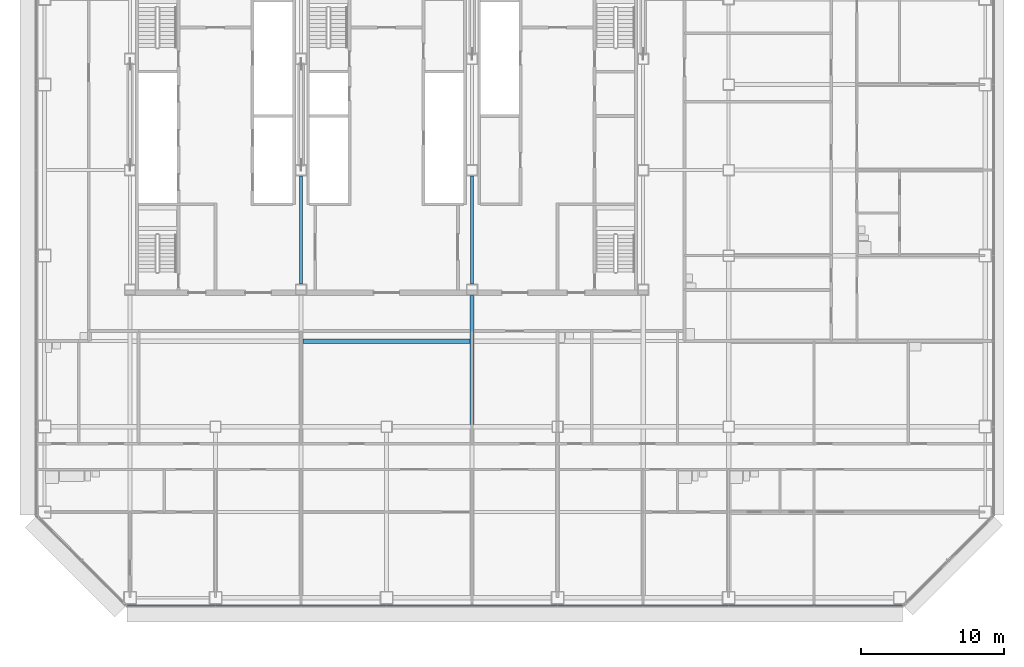
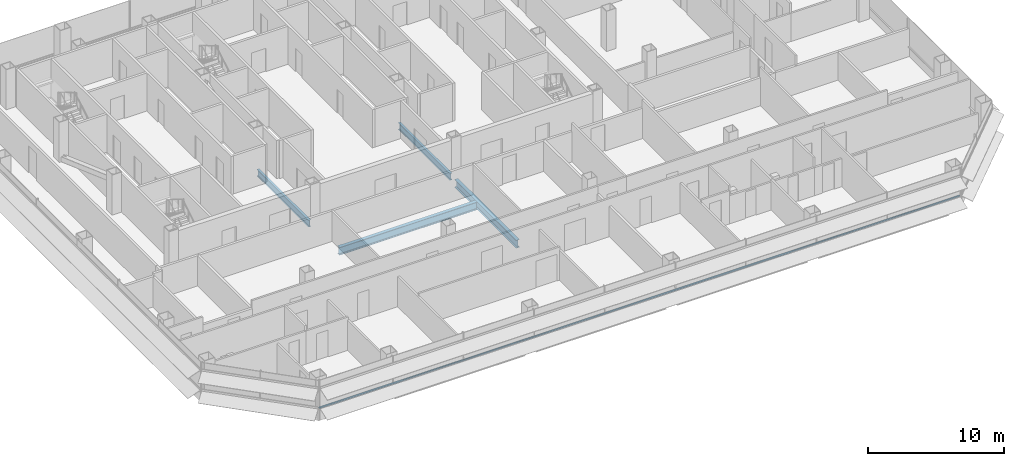
# One storey, part 7 of 27: 4 beams, 1 member, 1 element without a shape of its own.
"""IFC4 building model written with IfcOpenShell, lengths in metres."""

from ifc_helpers import new_model, si_unit, direction, frame, origin, origin_2d, place, context, subcontext, project, spatial, rectangle, i_section, extrude, material, material_profile, profile_set, type_object, element, aggregate, save


model = new_model("IFC4")

# Units and contexts
model_context = context("Model", 3, precision=1e-05, world=origin(), true_north=direction((0.0, 1.0)))
body_context = subcontext(model_context, "Body", "Model", "MODEL_VIEW")
ifc_project = project(units=[si_unit("LENGTHUNIT", "METRE"), si_unit("AREAUNIT", "SQUARE_METRE"), si_unit("VOLUMEUNIT", "CUBIC_METRE"), si_unit("PLANEANGLEUNIT", "RADIAN"), si_unit("MASSUNIT", "GRAM", prefix="KILO")], contexts=[model_context])

# Site, building, storey
site_placement = place(None, origin())
site = spatial("IfcSite", under=ifc_project, at=site_placement, CompositionType="ELEMENT")
building_placement = place(site_placement, origin())
building = spatial("IfcBuilding", under=site, at=building_placement, Name="Sorahane Residences", CompositionType="ELEMENT")
storey_placement = place(building_placement, frame((0.0, 0.0, 53.39990234375)))
storey = spatial("IfcBuildingStorey", under=building, at=storey_placement, Name="L09", CompositionType="ELEMENT", Elevation=53.39990234375)

# Curtain wall, member
ifc_material_1 = material(Name="Dark low-e glass and black anodised aluminium", Category="aluminium")
curtain_wall_type = type_object("IfcCurtainWallType", Name="Curtain wall CW-1 Typical unitised wall", PredefinedType="NOTDEFINED", material=ifc_material_1)
curtain_wall_placement = place(storey_placement, origin())
curtain_wall = element("IfcCurtainWall", 1, at=curtain_wall_placement, inside=storey, type_object=curtain_wall_type, Name="CW-1 curtain wall L09 S1", PredefinedType="NOTDEFINED")
ifc_material_2 = material(Name="Black anodised aluminium", Category="aluminium")
ifc_material_profile_1 = material_profile(ifc_material_2, rectangle(XDim=0.10009765625, YDim=0.06005859375, at=origin_2d()), Name="Curtain wall transom CW-1 black anodised aluminium 60x100")
ifc_profile_set_1 = profile_set([ifc_material_profile_1], Name="Black anodised aluminium")
member_type = type_object("IfcMemberType", Name="Curtain wall transom CW-1 black anodised aluminium 60x100", PredefinedType="USERDEFINED", material=ifc_profile_set_1)
member_placement = place(storey_placement, frame((5.801513671875, -0.530029296875, 0.900146484375), z_axis=(1.0, 0.0, 0.0), x_axis=(0.0, 1.0, 0.0)))
member = element("IfcMember", 2, at=member_placement, type_object=member_type, Name="CW-1 transom L09 S1", ObjectType="TRANSOM", PredefinedType="USERDEFINED", context=body_context, shape_type="SweptSolid", body=[
    extrude(rectangle(XDim=0.10009765625, YDim=0.06005859375, at=origin_2d()), origin(), (0.0, 0.0, 1.0), 54.39697265625),
])
aggregate(curtain_wall, [member])

# Beams
ifc_material_3 = material(Name="Steel Q355B", Category="steel")
ifc_material_profile_2 = material_profile(ifc_material_3, i_section(OverallWidth=0.199951171875, OverallDepth=0.60009765625, WebThickness=0.010986328125, FlangeThickness=0.01708984375, FilletRadius=0.02392578125, at=origin_2d()), Name="HN 600x200x11x17")
ifc_profile_set_2 = profile_set([ifc_material_profile_2], Name="Steel Q355B")
beam_type_1 = type_object("IfcBeamType", Name="Steel floor beam HN 600x200x11x17 Q355B", PredefinedType="BEAM", material=ifc_profile_set_2)
for number, where, z_axis, x_axis, name in (
    (3, (18.0, 22.0, -0.47998046875), (0.0, 1.0, 0.0), (-1.0, 0.0, 0.0), "Beam L09 031"),
    (4, (30.0, 22.0, -0.47998046875), (0.0, 1.0, 0.0), (-1.0, 0.0, 0.0), "Beam L09 039"),
):
    element("IfcBeam", number, at=place(storey_placement, frame(where, z_axis=z_axis, x_axis=x_axis)), inside=storey, type_object=beam_type_1, Name=name, PredefinedType="BEAM", context=body_context, shape_type="SweptSolid", body=[
        extrude(i_section(OverallWidth=0.199951171875, OverallDepth=0.60009765625, WebThickness=0.010986328125, FlangeThickness=0.01708984375, FilletRadius=0.02392578125, at=origin_2d()), origin(), (0.0, 0.0, 1.0), 7.60009765625),
    ])
ifc_material_4 = material(Name="Steel Q355B", Category="steel")
ifc_material_profile_3 = material_profile(ifc_material_4, i_section(OverallWidth=0.300048828125, OverallDepth=0.699951171875, WebThickness=0.012939453125, FlangeThickness=0.02392578125, FilletRadius=0.028076171875, at=origin_2d()), Name="HN 700x300x13x24")
ifc_profile_set_3 = profile_set([ifc_material_profile_3], Name="Steel Q355B")
beam_type_2 = type_object("IfcBeamType", Name="Steel floor beam HN 700x300x13x24 Q355B", PredefinedType="BEAM", material=ifc_profile_set_3)
beam_1_placement = place(storey_placement, frame((30.0, 12.14990234375, -0.52978515625), z_axis=(0.0, 1.0, 0.0), x_axis=(-1.0, 0.0, 0.0)))
element("IfcBeam", 5, at=beam_1_placement, inside=storey, type_object=beam_type_2, Name="Beam L09 038", PredefinedType="BEAM", context=body_context, shape_type="SweptSolid", body=[
    extrude(i_section(OverallWidth=0.300048828125, OverallDepth=0.699951171875, WebThickness=0.012939453125, FlangeThickness=0.02392578125, FilletRadius=0.028076171875, at=origin_2d()), origin(), (0.0, 0.0, 1.0), 9.050048828125),
])
beam_2_placement = place(storey_placement, frame((18.14990234375, 18.0, -0.52978515625), z_axis=(1.0, 0.0, 0.0), x_axis=(0.0, 1.0, 0.0)))
element("IfcBeam", 6, at=beam_2_placement, inside=storey, type_object=beam_type_2, Name="Beam L09 072", PredefinedType="BEAM", context=body_context, shape_type="SweptSolid", body=[
    extrude(i_section(OverallWidth=0.300048828125, OverallDepth=0.699951171875, WebThickness=0.012939453125, FlangeThickness=0.02392578125, FilletRadius=0.028076171875, at=origin_2d()), origin(), (0.0, 0.0, 1.0), 11.7001953125),
])

save(model, "model.ifc")
